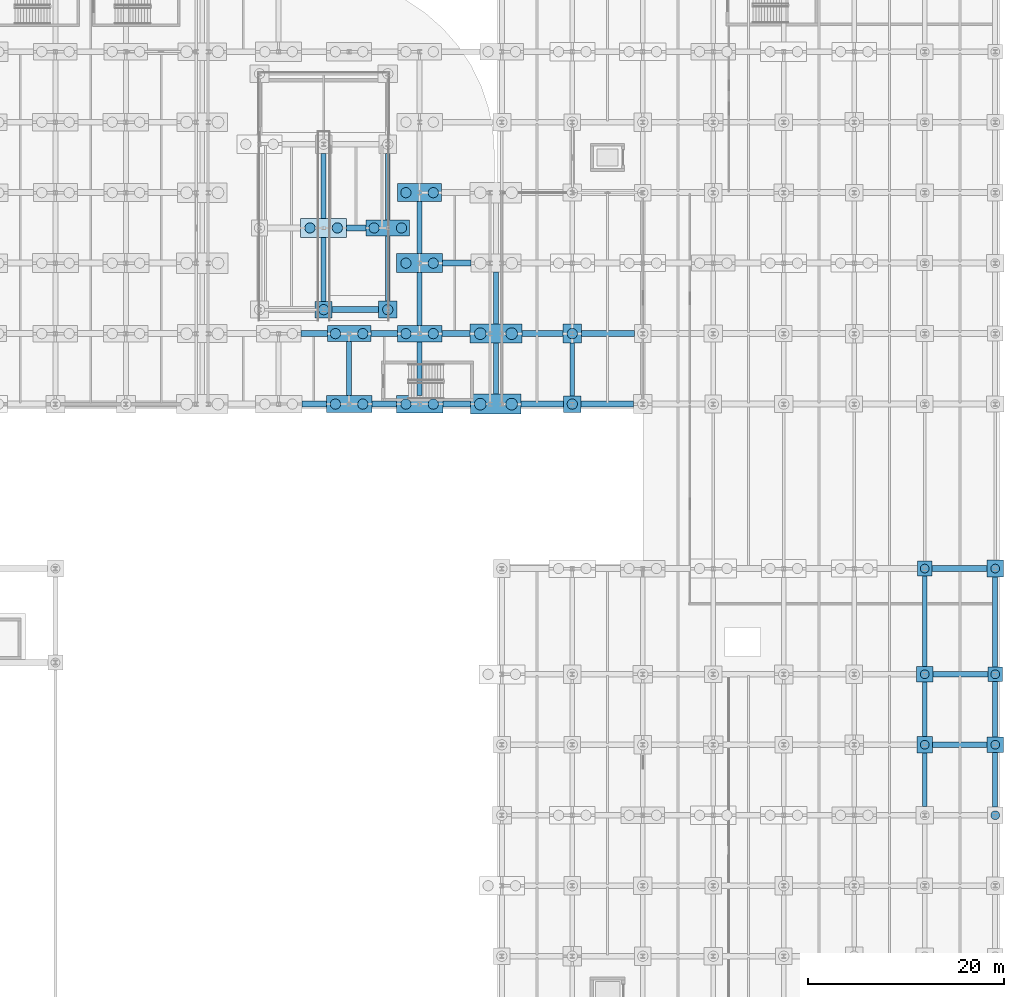
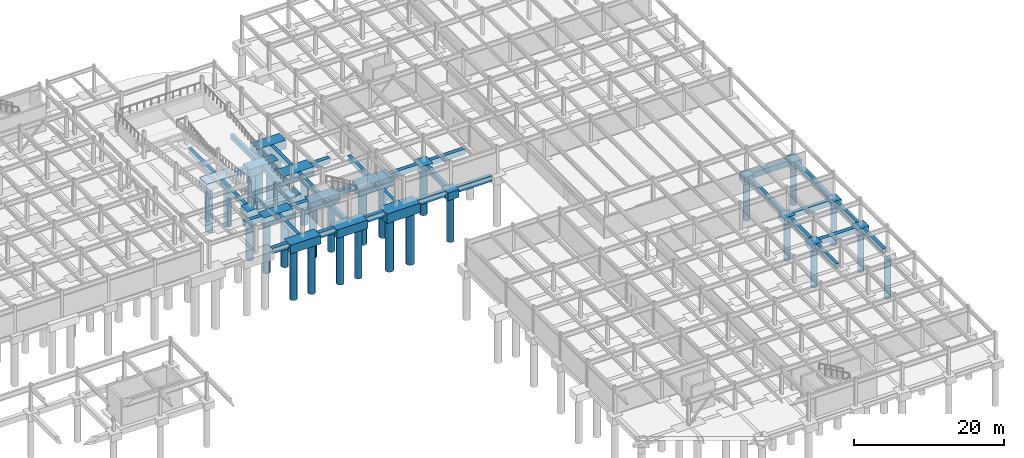
# One storey, part 11 of 54: 53 footings, 31 piles.
"""IFC4 building model written with IfcOpenShell, lengths in metres."""

from ifc_helpers import new_model, si_unit, direction, frame, origin, origin_2d, place, context, subcontext, project, spatial, polyline, rectangle, circle, outline, extrude, material, material_profile, profile_set, type_object, element, save


model = new_model("IFC4")

# Units and contexts
model_context = context("Model", 3, precision=1e-05, world=origin(), true_north=direction((0.0, 1.0)))
body_context = subcontext(model_context, "Body", "Model", "MODEL_VIEW")
ifc_project = project(units=[si_unit("LENGTHUNIT", "METRE"), si_unit("AREAUNIT", "SQUARE_METRE"), si_unit("VOLUMEUNIT", "CUBIC_METRE"), si_unit("PLANEANGLEUNIT", "RADIAN"), si_unit("MASSUNIT", "GRAM", prefix="KILO")], contexts=[model_context])

# Site, building, storey
site_placement = place(None, origin())
site = spatial("IfcSite", under=ifc_project, at=site_placement, CompositionType="ELEMENT")
building_placement = place(site_placement, origin())
building = spatial("IfcBuilding", under=site, at=building_placement, Name="Vaelcorin Mobility Hub", CompositionType="ELEMENT")
storey_placement = place(building_placement, frame((0.0, 0.0, -4.5)))
storey = spatial("IfcBuildingStorey", under=building, at=storey_placement, Name="B1", CompositionType="ELEMENT", Elevation=-4.5)

# Footings
ifc_material = material(Name="Concrete f'c 40 MPa", Category="concrete")
footing_type_1 = type_object("IfcFootingType", Name="FB-500X800", PredefinedType="FOOTING_BEAM", material=ifc_material)
footing_1_placement = place(storey_placement, frame((0.0, 0.0, -0.800048828125)))
element("IfcFooting", 1, at=footing_1_placement, inside=storey, type_object=footing_type_1, Name="Foundation Tie Beam FB-Y-364", PredefinedType="FOOTING_BEAM", context=body_context, shape_type="SweptSolid", body=[
    extrude(outline(polyline([(137.75, 77.675048828125), (138.25, 77.675048828125), (138.25, 83.175048828125), (137.75, 83.175048828125), (137.75, 77.675048828125)])), origin(), (0.0, 0.0, 1.0), 0.800048828125),
])
footing_2_placement = place(storey_placement, frame((0.0, 0.0, -0.800048828125)))
element("IfcFooting", 2, at=footing_2_placement, inside=storey, type_object=footing_type_1, Name="Foundation Tie Beam FB-Y-365", PredefinedType="FOOTING_BEAM", context=body_context, shape_type="SweptSolid", body=[
    extrude(outline(polyline([(144.949951171875, 77.699951171875), (145.449951171875, 77.699951171875), (145.449951171875, 83.14990234375), (144.949951171875, 83.14990234375), (144.949951171875, 77.699951171875)])), origin(), (0.0, 0.0, 1.0), 0.800048828125),
])
footing_3_placement = place(storey_placement, frame((0.0, 0.0, -0.800048828125)))
element("IfcFooting", 3, at=footing_3_placement, inside=storey, type_object=footing_type_1, Name="Foundation Tie Beam FB-Y-366", PredefinedType="FOOTING_BEAM", context=body_context, shape_type="SweptSolid", body=[
    extrude(outline(polyline([(144.949951171875, 84.85009765625), (145.449951171875, 84.85009765625), (145.449951171875, 90.22509765625), (144.949951171875, 90.22509765625), (144.949951171875, 84.85009765625)])), origin(), (0.0, 0.0, 1.0), 0.800048828125),
])
footing_4_placement = place(storey_placement, frame((0.0, 0.0, -0.800048828125)))
element("IfcFooting", 4, at=footing_4_placement, inside=storey, type_object=footing_type_1, Name="Foundation Tie Beam FB-Y-367", PredefinedType="FOOTING_BEAM", context=body_context, shape_type="SweptSolid", body=[
    extrude(outline(polyline([(144.949951171875, 92.175048828125), (145.449951171875, 92.175048828125), (145.449951171875, 97.47509765625), (144.949951171875, 97.47509765625), (144.949951171875, 92.175048828125)])), origin(), (0.0, 0.0, 1.0), 0.800048828125),
])
footing_5_placement = place(storey_placement, frame((0.0, 0.0, -0.800048828125)))
element("IfcFooting", 5, at=footing_5_placement, inside=storey, type_object=footing_type_1, Name="Foundation Tie Beam FB-Y-377", PredefinedType="FOOTING_BEAM", context=body_context, shape_type="SweptSolid", body=[
    extrude(outline(polyline([(152.75, 77.824951171875), (153.25, 77.824951171875), (153.25, 83.02490234375), (152.75, 83.02490234375), (152.75, 77.824951171875)])), origin(), (0.0, 0.0, 1.0), 0.800048828125),
])
footing_6_placement = place(storey_placement, frame((0.0, 0.0, -0.800048828125)))
element("IfcFooting", 6, at=footing_6_placement, inside=storey, type_object=footing_type_1, Name="Foundation Tie Beam FB-Y-378", PredefinedType="FOOTING_BEAM", context=body_context, shape_type="SweptSolid", body=[
    extrude(outline(polyline([(152.75, 84.97509765625), (153.25, 84.97509765625), (153.25, 90.27490234375), (152.75, 90.27490234375), (152.75, 84.97509765625)])), origin(), (0.0, 0.0, 1.0), 0.800048828125),
])
footing_7_placement = place(storey_placement, frame((0.0, 0.0, -0.800048828125)))
element("IfcFooting", 7, at=footing_7_placement, inside=storey, type_object=footing_type_1, Name="Foundation Tie Beam FB-Y-389", PredefinedType="FOOTING_BEAM", context=body_context, shape_type="SweptSolid", body=[
    extrude(outline(polyline([(160.550048828125, 77.64990234375), (161.050048828125, 77.64990234375), (161.050048828125, 83.02490234375), (160.550048828125, 83.02490234375), (160.550048828125, 77.64990234375)])), origin(), (0.0, 0.0, 1.0), 0.800048828125),
])
footing_8_placement = place(storey_placement, frame((0.0, 0.0, -0.800048828125)))
element("IfcFooting", 8, at=footing_8_placement, inside=storey, type_object=footing_type_1, Name="Foundation Tie Beam FB-Y-451", PredefinedType="FOOTING_BEAM", context=body_context, shape_type="SweptSolid", body=[
    extrude(outline(polyline([(196.550048828125, 35.699951171875), (197.050048828125, 35.699951171875), (197.050048828125, 41.14990234375), (196.550048828125, 41.14990234375), (196.550048828125, 35.699951171875)])), origin(), (0.0, 0.0, 1.0), 0.800048828125),
])
footing_9_placement = place(storey_placement, frame((0.0, 0.0, -0.800048828125)))
element("IfcFooting", 9, at=footing_9_placement, inside=storey, type_object=footing_type_1, Name="Foundation Tie Beam FB-Y-452", PredefinedType="FOOTING_BEAM", context=body_context, shape_type="SweptSolid", body=[
    extrude(outline(polyline([(196.550048828125, 42.85009765625), (197.050048828125, 42.85009765625), (197.050048828125, 48.39990234375), (196.550048828125, 48.39990234375), (196.550048828125, 42.85009765625)])), origin(), (0.0, 0.0, 1.0), 0.800048828125),
])
footing_10_placement = place(storey_placement, frame((0.0, 0.0, -0.800048828125)))
element("IfcFooting", 10, at=footing_10_placement, inside=storey, type_object=footing_type_1, Name="Foundation Tie Beam FB-Y-453", PredefinedType="FOOTING_BEAM", context=body_context, shape_type="SweptSolid", body=[
    extrude(outline(polyline([(196.550048828125, 50.0), (197.050048828125, 50.0), (197.050048828125, 59.25), (196.550048828125, 59.25), (196.550048828125, 50.0)])), origin(), (0.0, 0.0, 1.0), 0.800048828125),
])
footing_11_placement = place(storey_placement, frame((0.0, 0.0, -0.800048828125)))
element("IfcFooting", 11, at=footing_11_placement, inside=storey, type_object=footing_type_1, Name="Foundation Tie Beam FB-Y-464", PredefinedType="FOOTING_BEAM", context=body_context, shape_type="SweptSolid", body=[
    extrude(outline(polyline([(203.75, 35.64990234375), (204.25, 35.64990234375), (204.25, 41.199951171875), (203.75, 41.199951171875), (203.75, 35.64990234375)])), origin(), (0.0, 0.0, 1.0), 0.800048828125),
])
footing_12_placement = place(storey_placement, frame((0.0, 0.0, -0.800048828125)))
element("IfcFooting", 12, at=footing_12_placement, inside=storey, type_object=footing_type_1, Name="Foundation Tie Beam FB-Y-465", PredefinedType="FOOTING_BEAM", context=body_context, shape_type="SweptSolid", body=[
    extrude(outline(polyline([(203.75, 42.800048828125), (204.25, 42.800048828125), (204.25, 48.449951171875), (203.75, 48.449951171875), (203.75, 42.800048828125)])), origin(), (0.0, 0.0, 1.0), 0.800048828125),
])
footing_13_placement = place(storey_placement, frame((0.0, 0.0, -0.800048828125)))
element("IfcFooting", 13, at=footing_13_placement, inside=storey, type_object=footing_type_1, Name="Foundation Tie Beam FB-Y-466", PredefinedType="FOOTING_BEAM", context=body_context, shape_type="SweptSolid", body=[
    extrude(outline(polyline([(203.75, 49.949951171875), (204.25, 49.949951171875), (204.25, 59.125), (203.75, 59.125), (203.75, 49.949951171875)])), origin(), (0.0, 0.0, 1.0), 0.800048828125),
])
footing_14_placement = place(storey_placement, frame((0.0, 0.0, -0.800048828125)))
element("IfcFooting", 14, at=footing_14_placement, inside=storey, type_object=footing_type_1, Name="Foundation Tie Beam FB-Y-484", PredefinedType="FOOTING_BEAM", context=body_context, shape_type="SweptSolid", body=[
    extrude(outline(polyline([(135.14990234375, 87.300048828125), (135.64990234375, 87.300048828125), (135.64990234375, 93.824951171875), (135.14990234375, 93.824951171875), (135.14990234375, 87.300048828125)])), origin(), (0.0, 0.0, 1.0), 0.800048828125),
])
footing_15_placement = place(storey_placement, frame((0.0, 0.0, -0.800048828125)))
element("IfcFooting", 15, at=footing_15_placement, inside=storey, type_object=footing_type_1, Name="Foundation Tie Beam FB-Y-485", PredefinedType="FOOTING_BEAM", context=body_context, shape_type="SweptSolid", body=[
    extrude(outline(polyline([(135.14990234375, 95.77490234375), (135.64990234375, 95.77490234375), (135.64990234375, 102.425048828125), (135.14990234375, 102.425048828125), (135.14990234375, 95.77490234375)])), origin(), (0.0, 0.0, 1.0), 0.800048828125),
])
footing_16_placement = place(storey_placement, frame((0.0, 0.0, -0.800048828125)))
element("IfcFooting", 16, at=footing_16_placement, inside=storey, type_object=footing_type_1, Name="Foundation Tie Beam FB-Y-486", PredefinedType="FOOTING_BEAM", context=body_context, shape_type="SweptSolid", body=[
    extrude(outline(polyline([(141.699951171875, 87.324951171875), (142.199951171875, 87.324951171875), (142.199951171875, 93.97509765625), (141.699951171875, 93.97509765625), (141.699951171875, 87.324951171875)])), origin(), (0.0, 0.0, 1.0), 0.800048828125),
])
footing_17_placement = place(storey_placement, frame((0.0, 0.0, -0.800048828125)))
element("IfcFooting", 17, at=footing_17_placement, inside=storey, type_object=footing_type_1, Name="Foundation Tie Beam FB-Y-487", PredefinedType="FOOTING_BEAM", context=body_context, shape_type="SweptSolid", body=[
    extrude(outline(polyline([(141.699951171875, 95.625), (142.199951171875, 95.625), (142.199951171875, 102.39990234375), (141.699951171875, 102.39990234375), (141.699951171875, 95.625)])), origin(), (0.0, 0.0, 1.0), 0.800048828125),
])
footing_type_2 = type_object("IfcFootingType", Name="FB-600X900", PredefinedType="FOOTING_BEAM", material=ifc_material)
footing_18_placement = place(storey_placement, frame((0.0, 0.0, -0.89990234375)))
element("IfcFooting", 18, at=footing_18_placement, inside=storey, type_object=footing_type_2, Name="Foundation Tie Beam FB-X-018", PredefinedType="FOOTING_BEAM", context=body_context, shape_type="SweptSolid", body=[
    extrude(outline(polyline([(133.175048828125, 76.5), (135.675048828125, 76.5), (135.675048828125, 77.10009765625), (133.175048828125, 77.10009765625), (133.175048828125, 76.5)])), origin(), (0.0, 0.0, 1.0), 0.89990234375),
])
footing_19_placement = place(storey_placement, frame((0.0, 0.0, -0.89990234375)))
element("IfcFooting", 19, at=footing_19_placement, inside=storey, type_object=footing_type_2, Name="Foundation Tie Beam FB-X-019", PredefinedType="FOOTING_BEAM", context=body_context, shape_type="SweptSolid", body=[
    extrude(outline(polyline([(140.324951171875, 76.5), (142.824951171875, 76.5), (142.824951171875, 77.10009765625), (140.324951171875, 77.10009765625), (140.324951171875, 76.5)])), origin(), (0.0, 0.0, 1.0), 0.89990234375),
])
footing_20_placement = place(storey_placement, frame((0.0, 0.0, -0.89990234375)))
element("IfcFooting", 20, at=footing_20_placement, inside=storey, type_object=footing_type_2, Name="Foundation Tie Beam FB-X-020", PredefinedType="FOOTING_BEAM", context=body_context, shape_type="SweptSolid", body=[
    extrude(outline(polyline([(147.574951171875, 76.5), (150.425048828125, 76.5), (150.425048828125, 77.10009765625), (147.574951171875, 77.10009765625), (147.574951171875, 76.5)])), origin(), (0.0, 0.0, 1.0), 0.89990234375),
])
footing_21_placement = place(storey_placement, frame((0.0, 0.0, -0.89990234375)))
element("IfcFooting", 21, at=footing_21_placement, inside=storey, type_object=footing_type_2, Name="Foundation Tie Beam FB-X-021", PredefinedType="FOOTING_BEAM", context=body_context, shape_type="SweptSolid", body=[
    extrude(outline(polyline([(155.574951171875, 76.5), (159.925048828125, 76.5), (159.925048828125, 77.10009765625), (155.574951171875, 77.10009765625), (155.574951171875, 76.5)])), origin(), (0.0, 0.0, 1.0), 0.89990234375),
])
footing_22_placement = place(storey_placement, frame((0.0, 0.0, -0.89990234375)))
element("IfcFooting", 22, at=footing_22_placement, inside=storey, type_object=footing_type_2, Name="Foundation Tie Beam FB-X-022", PredefinedType="FOOTING_BEAM", context=body_context, shape_type="SweptSolid", body=[
    extrude(outline(polyline([(161.675048828125, 76.5), (167.050048828125, 76.5), (167.050048828125, 77.10009765625), (161.675048828125, 77.10009765625), (161.675048828125, 76.5)])), origin(), (0.0, 0.0, 1.0), 0.89990234375),
])
footing_23_placement = place(storey_placement, frame((0.0, 0.0, -0.89990234375)))
element("IfcFooting", 23, at=footing_23_placement, inside=storey, type_object=footing_type_2, Name="Foundation Tie Beam FB-X-045", PredefinedType="FOOTING_BEAM", context=body_context, shape_type="SweptSolid", body=[
    extrude(outline(polyline([(133.074951171875, 83.699951171875), (135.77490234375, 83.699951171875), (135.77490234375, 84.300048828125), (133.074951171875, 84.300048828125), (133.074951171875, 83.699951171875)])), origin(), (0.0, 0.0, 1.0), 0.89990234375),
])
footing_24_placement = place(storey_placement, frame((0.0, 0.0, -0.89990234375)))
element("IfcFooting", 24, at=footing_24_placement, inside=storey, type_object=footing_type_2, Name="Foundation Tie Beam FB-X-046", PredefinedType="FOOTING_BEAM", context=body_context, shape_type="SweptSolid", body=[
    extrude(outline(polyline([(140.22509765625, 83.699951171875), (142.925048828125, 83.699951171875), (142.925048828125, 84.300048828125), (140.22509765625, 84.300048828125), (140.22509765625, 83.699951171875)])), origin(), (0.0, 0.0, 1.0), 0.89990234375),
])
footing_25_placement = place(storey_placement, frame((0.0, 0.0, -0.89990234375)))
element("IfcFooting", 25, at=footing_25_placement, inside=storey, type_object=footing_type_2, Name="Foundation Tie Beam FB-X-047", PredefinedType="FOOTING_BEAM", context=body_context, shape_type="SweptSolid", body=[
    extrude(outline(polyline([(147.47509765625, 83.699951171875), (150.35009765625, 83.699951171875), (150.35009765625, 84.300048828125), (147.47509765625, 84.300048828125), (147.47509765625, 83.699951171875)])), origin(), (0.0, 0.0, 1.0), 0.89990234375),
])
footing_26_placement = place(storey_placement, frame((0.0, 0.0, -0.89990234375)))
element("IfcFooting", 26, at=footing_26_placement, inside=storey, type_object=footing_type_2, Name="Foundation Tie Beam FB-X-048", PredefinedType="FOOTING_BEAM", context=body_context, shape_type="SweptSolid", body=[
    extrude(outline(polyline([(155.64990234375, 83.699951171875), (159.85009765625, 83.699951171875), (159.85009765625, 84.300048828125), (155.64990234375, 84.300048828125), (155.64990234375, 83.699951171875)])), origin(), (0.0, 0.0, 1.0), 0.89990234375),
])
footing_27_placement = place(storey_placement, frame((0.0, 0.0, -0.89990234375)))
element("IfcFooting", 27, at=footing_27_placement, inside=storey, type_object=footing_type_2, Name="Foundation Tie Beam FB-X-049", PredefinedType="FOOTING_BEAM", context=body_context, shape_type="SweptSolid", body=[
    extrude(outline(polyline([(161.75, 83.699951171875), (167.14990234375, 83.699951171875), (167.14990234375, 84.300048828125), (161.75, 84.300048828125), (161.75, 83.699951171875)])), origin(), (0.0, 0.0, 1.0), 0.89990234375),
])
footing_28_placement = place(storey_placement, frame((0.0, 0.0, -0.89990234375)))
element("IfcFooting", 28, at=footing_28_placement, inside=storey, type_object=footing_type_2, Name="Foundation Tie Beam FB-X-068", PredefinedType="FOOTING_BEAM", context=body_context, shape_type="SweptSolid", body=[
    extrude(outline(polyline([(147.550048828125, 90.89990234375), (150.449951171875, 90.89990234375), (150.449951171875, 91.5), (147.550048828125, 91.5), (147.550048828125, 90.89990234375)])), origin(), (0.0, 0.0, 1.0), 0.89990234375),
])
footing_29_placement = place(storey_placement, frame((0.0, 0.0, -0.89990234375)))
element("IfcFooting", 29, at=footing_29_placement, inside=storey, type_object=footing_type_2, Name="Foundation Tie Beam FB-X-207", PredefinedType="FOOTING_BEAM", context=body_context, shape_type="SweptSolid", body=[
    extrude(outline(polyline([(197.550048828125, 59.699951171875), (203.175048828125, 59.699951171875), (203.175048828125, 60.300048828125), (197.550048828125, 60.300048828125), (197.550048828125, 59.699951171875)])), origin(), (0.0, 0.0, 1.0), 0.89990234375),
])
footing_30_placement = place(storey_placement, frame((0.0, 0.0, -0.89990234375)))
element("IfcFooting", 30, at=footing_30_placement, inside=storey, type_object=footing_type_2, Name="Foundation Tie Beam FB-X-242", PredefinedType="FOOTING_BEAM", context=body_context, shape_type="SweptSolid", body=[
    extrude(outline(polyline([(197.574951171875, 41.699951171875), (203.14990234375, 41.699951171875), (203.14990234375, 42.300048828125), (197.574951171875, 42.300048828125), (197.574951171875, 41.699951171875)])), origin(), (0.0, 0.0, 1.0), 0.89990234375),
])
footing_31_placement = place(storey_placement, frame((0.0, 0.0, -0.89990234375)))
element("IfcFooting", 31, at=footing_31_placement, inside=storey, type_object=footing_type_2, Name="Foundation Tie Beam FB-X-249", PredefinedType="FOOTING_BEAM", context=body_context, shape_type="SweptSolid", body=[
    extrude(outline(polyline([(197.64990234375, 48.89990234375), (203.25, 48.89990234375), (203.25, 49.5), (197.64990234375, 49.5), (197.64990234375, 48.89990234375)])), origin(), (0.0, 0.0, 1.0), 0.89990234375),
])
footing_32_placement = place(storey_placement, frame((0.0, 0.0, -0.89990234375)))
element("IfcFooting", 32, at=footing_32_placement, inside=storey, type_object=footing_type_2, Name="Foundation Tie Beam FB-X-253", PredefinedType="FOOTING_BEAM", context=body_context, shape_type="SweptSolid", body=[
    extrude(outline(polyline([(136.27490234375, 86.14990234375), (141.02490234375, 86.14990234375), (141.02490234375, 86.75), (136.27490234375, 86.75), (136.27490234375, 86.14990234375)])), origin(), (0.0, 0.0, 1.0), 0.89990234375),
])
footing_33_placement = place(storey_placement, frame((0.0, 0.0, -0.89990234375)))
element("IfcFooting", 33, at=footing_33_placement, inside=storey, type_object=footing_type_2, Name="Foundation Tie Beam FB-X-257", PredefinedType="FOOTING_BEAM", context=body_context, shape_type="SweptSolid", body=[
    extrude(outline(polyline([(137.75, 94.5), (139.72509765625, 94.5), (139.72509765625, 95.10009765625), (137.75, 95.10009765625), (137.75, 94.5)])), origin(), (0.0, 0.0, 1.0), 0.89990234375),
])
footing_type_3 = type_object("IfcFootingType", Name="FTG-PC-02", PredefinedType="PILE_CAP", material=ifc_material)
footing_34_placement = place(storey_placement, frame((145.199951171875, 76.800048828125, -1.39990234375), z_axis=(0.0, 0.0, 1.0), x_axis=(1.0, 0.0, 0.0)))
element("IfcFooting", 34, at=footing_34_placement, inside=storey, type_object=footing_type_3, Name="Pile Cap PC-02 149", PredefinedType="PILE_CAP", context=body_context, shape_type="SweptSolid", body=[
    extrude(rectangle(XDim=4.75, YDim=1.800048828125, at=origin_2d()), origin(), (0.0, 0.0, 1.0), 1.39990234375),
])
footing_type_4 = type_object("IfcFootingType", Name="FTG-PC-03", PredefinedType="PILE_CAP", material=ifc_material)
footing_35_placement = place(storey_placement, frame((145.199951171875, 84.0, -1.39990234375), z_axis=(0.0, 0.0, 1.0), x_axis=(1.0, 0.0, 0.0)))
element("IfcFooting", 35, at=footing_35_placement, inside=storey, type_object=footing_type_4, Name="Pile Cap PC-03 150", PredefinedType="PILE_CAP", context=body_context, shape_type="SweptSolid", body=[
    extrude(rectangle(XDim=4.550048828125, YDim=1.699951171875, at=origin_2d()), origin(), (0.0, 0.0, 1.0), 1.39990234375),
])
footing_type_5 = type_object("IfcFootingType", Name="FTG-PC-04", PredefinedType="PILE_CAP", material=ifc_material)
footing_36_placement = place(storey_placement, frame((145.199951171875, 91.199951171875, -1.39990234375), z_axis=(0.0, 0.0, 1.0), x_axis=(1.0, 0.0, 0.0)))
element("IfcFooting", 36, at=footing_36_placement, inside=storey, type_object=footing_type_5, Name="Pile Cap PC-04 151", PredefinedType="PILE_CAP", context=body_context, shape_type="SweptSolid", body=[
    extrude(rectangle(XDim=4.699951171875, YDim=1.949951171875, at=origin_2d()), origin(), (0.0, 0.0, 1.0), 1.39990234375),
])
footing_type_6 = type_object("IfcFootingType", Name="FTG-PC-05", PredefinedType="PILE_CAP", material=ifc_material)
footing_37_placement = place(storey_placement, frame((145.199951171875, 98.39990234375, -1.39990234375), z_axis=(0.0, 0.0, 1.0), x_axis=(1.0, 0.0, 0.0)))
element("IfcFooting", 37, at=footing_37_placement, inside=storey, type_object=footing_type_6, Name="Pile Cap PC-05 152", PredefinedType="PILE_CAP", context=body_context, shape_type="SweptSolid", body=[
    extrude(rectangle(XDim=4.5, YDim=1.85009765625, at=origin_2d()), origin(), (0.0, 0.0, 1.0), 1.39990234375),
])
footing_type_7 = type_object("IfcFootingType", Name="FTG-PC-06", PredefinedType="PILE_CAP", material=ifc_material)
footing_38_placement = place(storey_placement, frame((138.0, 76.800048828125, -1.39990234375), z_axis=(0.0, 0.0, 1.0), x_axis=(1.0, 0.0, 0.0)))
element("IfcFooting", 38, at=footing_38_placement, inside=storey, type_object=footing_type_7, Name="Pile Cap PC-06 146", PredefinedType="PILE_CAP", context=body_context, shape_type="SweptSolid", body=[
    extrude(rectangle(XDim=4.64990234375, YDim=1.75, at=origin_2d()), origin(), (0.0, 0.0, 1.0), 1.39990234375),
])
footing_type_8 = type_object("IfcFootingType", Name="FTG-PC-07", PredefinedType="PILE_CAP", material=ifc_material)
footing_39_placement = place(storey_placement, frame((138.0, 84.0, -1.39990234375), z_axis=(0.0, 0.0, 1.0), x_axis=(1.0, 0.0, 0.0)))
element("IfcFooting", 39, at=footing_39_placement, inside=storey, type_object=footing_type_8, Name="Pile Cap PC-07 147", PredefinedType="PILE_CAP", context=body_context, shape_type="SweptSolid", body=[
    extrude(rectangle(XDim=4.449951171875, YDim=1.64990234375, at=origin_2d()), origin(), (0.0, 0.0, 1.0), 1.39990234375),
])
footing_type_9 = type_object("IfcFootingType", Name="FTG-PC-16", PredefinedType="PILE_CAP", material=ifc_material)
footing_40_placement = place(storey_placement, frame((196.800048828125, 42.0, -1.14990234375), z_axis=(0.0, 0.0, 1.0), x_axis=(1.0, 0.0, 0.0)))
element("IfcFooting", 40, at=footing_40_placement, inside=storey, type_object=footing_type_9, Name="Pile Cap PC-16 250", PredefinedType="PILE_CAP", context=body_context, shape_type="SweptSolid", body=[
    extrude(rectangle(XDim=1.550048828125, YDim=1.699951171875, at=origin_2d()), origin(), (0.0, 0.0, 1.0), 1.14990234375),
])
footing_type_10 = type_object("IfcFootingType", Name="FTG-PC-17", PredefinedType="PILE_CAP", material=ifc_material)
for number, where, z_axis, x_axis, name in (
    (41, (196.800048828125, 49.199951171875, -1.14990234375), (0.0, 0.0, 1.0), (1.0, 0.0, 0.0), "Pile Cap PC-17 251"),
    (42, (204.0, 42.0, -1.14990234375), (0.0, 0.0, 1.0), (1.0, 0.0, 0.0), "Pile Cap PC-17 265"),
):
    element("IfcFooting", number, at=place(storey_placement, frame(where, z_axis=z_axis, x_axis=x_axis)), inside=storey, type_object=footing_type_10, Name=name, PredefinedType="PILE_CAP", context=body_context, shape_type="SweptSolid", body=[
        extrude(rectangle(XDim=1.699951171875, YDim=1.60009765625, at=origin_2d()), origin(), (0.0, 0.0, 1.0), 1.14990234375),
    ])
footing_type_11 = type_object("IfcFootingType", Name="FTG-PC-18", PredefinedType="PILE_CAP", material=ifc_material)
for number, where, z_axis, x_axis, name in (
    (43, (196.800048828125, 60.0, -1.14990234375), (0.0, 0.0, 1.0), (1.0, 0.0, 0.0), "Pile Cap PC-18 252"),
    (44, (204.0, 49.199951171875, -1.14990234375), (0.0, 0.0, 1.0), (1.0, 0.0, 0.0), "Pile Cap PC-18 266"),
):
    element("IfcFooting", number, at=place(storey_placement, frame(where, z_axis=z_axis, x_axis=x_axis)), inside=storey, type_object=footing_type_11, Name=name, PredefinedType="PILE_CAP", context=body_context, shape_type="SweptSolid", body=[
        extrude(rectangle(XDim=1.5, YDim=1.5, at=origin_2d()), origin(), (0.0, 0.0, 1.0), 1.14990234375),
    ])
footing_type_12 = type_object("IfcFootingType", Name="FTG-PC-19", PredefinedType="PILE_CAP", material=ifc_material)
footing_41_placement = place(storey_placement, frame((204.0, 60.0, -1.14990234375), z_axis=(0.0, 0.0, 1.0), x_axis=(1.0, 0.0, 0.0)))
element("IfcFooting", 45, at=footing_41_placement, inside=storey, type_object=footing_type_12, Name="Pile Cap PC-19 267", PredefinedType="PILE_CAP", context=body_context, shape_type="SweptSolid", body=[
    extrude(rectangle(XDim=1.64990234375, YDim=1.75, at=origin_2d()), origin(), (0.0, 0.0, 1.0), 1.14990234375),
])
footing_type_13 = type_object("IfcFootingType", Name="FTG-PC-21", PredefinedType="PILE_CAP", material=ifc_material)
for number, where, z_axis, x_axis, name in (
    (46, (160.800048828125, 76.800048828125, -1.25), (0.0, 0.0, 1.0), (1.0, 0.0, 0.0), "Pile Cap PC-21 178"),
    (47, (135.39990234375, 86.449951171875, -1.25), (0.0, 0.0, 1.0), (1.0, 0.0, 0.0), "Pile Cap PC-21 290"),
):
    element("IfcFooting", number, at=place(storey_placement, frame(where, z_axis=z_axis, x_axis=x_axis)), inside=storey, type_object=footing_type_13, Name=name, PredefinedType="PILE_CAP", context=body_context, shape_type="SweptSolid", body=[
        extrude(rectangle(XDim=1.75, YDim=1.699951171875, at=origin_2d()), origin(), (0.0, 0.0, 1.0), 1.25),
    ])
footing_type_14 = type_object("IfcFootingType", Name="FTG-PC-23", PredefinedType="PILE_CAP", material=ifc_material)
footing_42_placement = place(storey_placement, frame((141.949951171875, 86.449951171875, -1.25), z_axis=(0.0, 0.0, 1.0), x_axis=(1.0, 0.0, 0.0)))
element("IfcFooting", 48, at=footing_42_placement, inside=storey, type_object=footing_type_14, Name="Pile Cap PC-23 293", PredefinedType="PILE_CAP", context=body_context, shape_type="SweptSolid", body=[
    extrude(rectangle(XDim=1.85009765625, YDim=1.75, at=origin_2d()), origin(), (0.0, 0.0, 1.0), 1.25),
])
footing_type_15 = type_object("IfcFootingType", Name="FTG-PC-27", PredefinedType="PILE_CAP", material=ifc_material)
footing_43_placement = place(storey_placement, frame((135.39990234375, 94.800048828125, -1.25), z_axis=(0.0, 0.0, 1.0), x_axis=(1.0, 0.0, 0.0)))
element("IfcFooting", 49, at=footing_43_placement, inside=storey, type_object=footing_type_15, Name="Pile Cap PC-27 291", PredefinedType="PILE_CAP", context=body_context, shape_type="SweptSolid", body=[
    extrude(rectangle(XDim=4.699951171875, YDim=1.949951171875, at=origin_2d()), origin(), (0.0, 0.0, 1.0), 1.25),
])
footing_type_16 = type_object("IfcFootingType", Name="FTG-PC-33", PredefinedType="PILE_CAP", material=ifc_material)
footing_44_placement = place(storey_placement, frame((141.949951171875, 94.800048828125, -1.25), z_axis=(0.0, 0.0, 1.0), x_axis=(1.0, 0.0, 0.0)))
element("IfcFooting", 50, at=footing_44_placement, inside=storey, type_object=footing_type_16, Name="Pile Cap PC-33 294", PredefinedType="PILE_CAP", context=body_context, shape_type="SweptSolid", body=[
    extrude(rectangle(XDim=4.449951171875, YDim=1.64990234375, at=origin_2d()), origin(), (0.0, 0.0, 1.0), 1.25),
])
footing_type_17 = type_object("IfcFootingType", Name="FTG-PC-35", PredefinedType="PILE_CAP", material=ifc_material)
footing_45_placement = place(storey_placement, frame((160.800048828125, 84.0, -1.25), z_axis=(0.0, 0.0, 1.0), x_axis=(1.0, 0.0, 0.0)))
element("IfcFooting", 51, at=footing_45_placement, inside=storey, type_object=footing_type_17, Name="Pile Cap PC-35 179", PredefinedType="PILE_CAP", context=body_context, shape_type="SweptSolid", body=[
    extrude(rectangle(XDim=1.89990234375, YDim=1.949951171875, at=origin_2d()), origin(), (0.0, 0.0, 1.0), 1.25),
])
footing_type_18 = type_object("IfcFootingType", Name="FTG-PC-COMB12", PredefinedType="PILE_CAP", material=ifc_material)
footing_46_placement = place(storey_placement, frame((153.0, 76.800048828125, -1.5498046875), z_axis=(0.0, 0.0, 1.0), x_axis=(1.0, 0.0, 0.0)))
element("IfcFooting", 52, at=footing_46_placement, inside=storey, type_object=footing_type_18, Name="Pile Cap PC-COMB12 155", PredefinedType="PILE_CAP", context=body_context, shape_type="SweptSolid", body=[
    extrude(rectangle(XDim=5.14990234375, YDim=2.050048828125, at=origin_2d()), origin(), (0.0, 0.0, 1.0), 1.550048828125),
])
footing_type_19 = type_object("IfcFootingType", Name="FTG-PC-COMB13", PredefinedType="PILE_CAP", material=ifc_material)
footing_47_placement = place(storey_placement, frame((153.0, 84.0, -1.5498046875), z_axis=(0.0, 0.0, 1.0), x_axis=(1.0, 0.0, 0.0)))
element("IfcFooting", 53, at=footing_47_placement, inside=storey, type_object=footing_type_19, Name="Pile Cap PC-COMB13 156", PredefinedType="PILE_CAP", context=body_context, shape_type="SweptSolid", body=[
    extrude(rectangle(XDim=5.300048828125, YDim=1.949951171875, at=origin_2d()), origin(), (0.0, 0.0, 1.0), 1.550048828125),
])

# Piles
ifc_material_profile_1 = material_profile(ifc_material, circle(Radius=0.52490234375, at=origin_2d()), Name="BP-D1050")
ifc_profile_set_1 = profile_set([ifc_material_profile_1], Name="Concrete f'c 40 MPa")
pile_type_1 = type_object("IfcPileType", Name="PILE-D1050", PredefinedType="BORED", material=ifc_profile_set_1)
for number, where, z_axis, x_axis, name in (
    (54, (136.60009765625, 76.800048828125, -1.300048828125), (0.0, 0.0, -1.0), (1.0, 0.0, 0.0), "Bored Pile CAP-146-P1"),
    (55, (139.39990234375, 76.800048828125, -1.300048828125), (0.0, 0.0, -1.0), (1.0, 0.0, 0.0), "Bored Pile CAP-146-P2"),
    (56, (136.60009765625, 84.0, -1.300048828125), (0.0, 0.0, -1.0), (1.0, 0.0, 0.0), "Bored Pile CAP-147-P1"),
    (57, (139.39990234375, 84.0, -1.300048828125), (0.0, 0.0, -1.0), (1.0, 0.0, 0.0), "Bored Pile CAP-147-P2"),
    (58, (143.800048828125, 76.800048828125, -1.300048828125), (0.0, 0.0, -1.0), (1.0, 0.0, 0.0), "Bored Pile CAP-149-P1"),
    (59, (146.60009765625, 76.800048828125, -1.300048828125), (0.0, 0.0, -1.0), (1.0, 0.0, 0.0), "Bored Pile CAP-149-P2"),
    (60, (143.800048828125, 84.0, -1.300048828125), (0.0, 0.0, -1.0), (1.0, 0.0, 0.0), "Bored Pile CAP-150-P1"),
    (61, (146.60009765625, 84.0, -1.300048828125), (0.0, 0.0, -1.0), (1.0, 0.0, 0.0), "Bored Pile CAP-150-P2"),
    (62, (143.800048828125, 91.199951171875, -1.300048828125), (0.0, 0.0, -1.0), (1.0, 0.0, 0.0), "Bored Pile CAP-151-P1"),
    (63, (146.60009765625, 91.199951171875, -1.300048828125), (0.0, 0.0, -1.0), (1.0, 0.0, 0.0), "Bored Pile CAP-151-P2"),
    (64, (143.800048828125, 98.39990234375, -1.300048828125), (0.0, 0.0, -1.0), (1.0, 0.0, 0.0), "Bored Pile CAP-152-P1"),
    (65, (146.60009765625, 98.39990234375, -1.300048828125), (0.0, 0.0, -1.0), (1.0, 0.0, 0.0), "Bored Pile CAP-152-P2"),
):
    element("IfcPile", number, at=place(storey_placement, frame(where, z_axis=z_axis, x_axis=x_axis)), inside=storey, type_object=pile_type_1, Name=name, PredefinedType="BORED", context=body_context, shape_type="SweptSolid", body=[
        extrude(circle(Radius=0.52490234375, at=origin_2d()), origin(), (0.0, 0.0, 1.0), 8.199951171875),
    ])
for number, where, z_axis, x_axis, name in (
    (66, (160.800048828125, 76.800048828125, -1.14990234375), (0.0, 0.0, -1.0), (1.0, 0.0, 0.0), "Bored Pile CAP-178-P1"),
    (67, (160.800048828125, 84.0, -1.14990234375), (0.0, 0.0, -1.0), (1.0, 0.0, 0.0), "Bored Pile CAP-179-P1"),
    (68, (135.39990234375, 86.449951171875, -1.14990234375), (0.0, 0.0, -1.0), (1.0, 0.0, 0.0), "Bored Pile CAP-290-P1"),
    (69, (134.0, 94.800048828125, -1.14990234375), (0.0, 0.0, -1.0), (1.0, 0.0, 0.0), "Bored Pile CAP-291-P1"),
    (70, (136.800048828125, 94.800048828125, -1.14990234375), (0.0, 0.0, -1.0), (1.0, 0.0, 0.0), "Bored Pile CAP-291-P2"),
    (71, (141.949951171875, 86.449951171875, -1.14990234375), (0.0, 0.0, -1.0), (1.0, 0.0, 0.0), "Bored Pile CAP-293-P1"),
    (72, (140.550048828125, 94.800048828125, -1.14990234375), (0.0, 0.0, -1.0), (1.0, 0.0, 0.0), "Bored Pile CAP-294-P1"),
    (73, (143.35009765625, 94.800048828125, -1.14990234375), (0.0, 0.0, -1.0), (1.0, 0.0, 0.0), "Bored Pile CAP-294-P2"),
):
    element("IfcPile", number, at=place(storey_placement, frame(where, z_axis=z_axis, x_axis=x_axis)), inside=storey, type_object=pile_type_1, Name=name, PredefinedType="BORED", context=body_context, shape_type="SweptSolid", body=[
        extrude(circle(Radius=0.52490234375, at=origin_2d()), origin(), (0.0, 0.0, 1.0), 7.35009765625),
    ])
ifc_material_profile_2 = material_profile(ifc_material, circle(Radius=0.60009765625, at=origin_2d()), Name="BP-D1200")
ifc_profile_set_2 = profile_set([ifc_material_profile_2], Name="Concrete f'c 40 MPa")
pile_type_2 = type_object("IfcPileType", Name="PILE-D1200", PredefinedType="BORED", material=ifc_profile_set_2)
for number, where, z_axis, x_axis, name in (
    (74, (151.39990234375, 76.800048828125, -1.449951171875), (0.0, 0.0, -1.0), (1.0, 0.0, 0.0), "Bored Pile CAP-155-P1"),
    (75, (154.60009765625, 76.800048828125, -1.449951171875), (0.0, 0.0, -1.0), (1.0, 0.0, 0.0), "Bored Pile CAP-155-P2"),
    (76, (151.39990234375, 84.0, -1.449951171875), (0.0, 0.0, -1.0), (1.0, 0.0, 0.0), "Bored Pile CAP-156-P1"),
    (77, (154.60009765625, 84.0, -1.449951171875), (0.0, 0.0, -1.0), (1.0, 0.0, 0.0), "Bored Pile CAP-156-P2"),
):
    element("IfcPile", number, at=place(storey_placement, frame(where, z_axis=z_axis, x_axis=x_axis)), inside=storey, type_object=pile_type_2, Name=name, PredefinedType="BORED", context=body_context, shape_type="SweptSolid", body=[
        extrude(circle(Radius=0.60009765625, at=origin_2d()), origin(), (0.0, 0.0, 1.0), 8.550048828125),
    ])
ifc_material_profile_3 = material_profile(ifc_material, circle(Radius=0.449951171875, at=origin_2d()), Name="BP-D900")
ifc_profile_set_3 = profile_set([ifc_material_profile_3], Name="Concrete f'c 40 MPa")
pile_type_3 = type_object("IfcPileType", Name="PILE-D900", PredefinedType="BORED", material=ifc_profile_set_3)
for number, where, z_axis, x_axis, name in (
    (78, (196.800048828125, 42.0, -1.050048828125), (0.0, 0.0, -1.0), (1.0, 0.0, 0.0), "Bored Pile CAP-250-P1"),
    (79, (196.800048828125, 49.199951171875, -1.050048828125), (0.0, 0.0, -1.0), (1.0, 0.0, 0.0), "Bored Pile CAP-251-P1"),
    (80, (196.800048828125, 60.0, -1.050048828125), (0.0, 0.0, -1.0), (1.0, 0.0, 0.0), "Bored Pile CAP-252-P1"),
    (81, (204.0, 34.800048828125, -1.050048828125), (0.0, 0.0, -1.0), (1.0, 0.0, 0.0), "Bored Pile CAP-264-P1"),
    (82, (204.0, 42.0, -1.050048828125), (0.0, 0.0, -1.0), (1.0, 0.0, 0.0), "Bored Pile CAP-265-P1"),
    (83, (204.0, 49.199951171875, -1.050048828125), (0.0, 0.0, -1.0), (1.0, 0.0, 0.0), "Bored Pile CAP-266-P1"),
    (84, (204.0, 60.0, -1.050048828125), (0.0, 0.0, -1.0), (1.0, 0.0, 0.0), "Bored Pile CAP-267-P1"),
):
    element("IfcPile", number, at=place(storey_placement, frame(where, z_axis=z_axis, x_axis=x_axis)), inside=storey, type_object=pile_type_3, Name=name, PredefinedType="BORED", context=body_context, shape_type="SweptSolid", body=[
        extrude(circle(Radius=0.449951171875, at=origin_2d()), origin(), (0.0, 0.0, 1.0), 6.449951171875),
    ])

save(model, "model.ifc")
